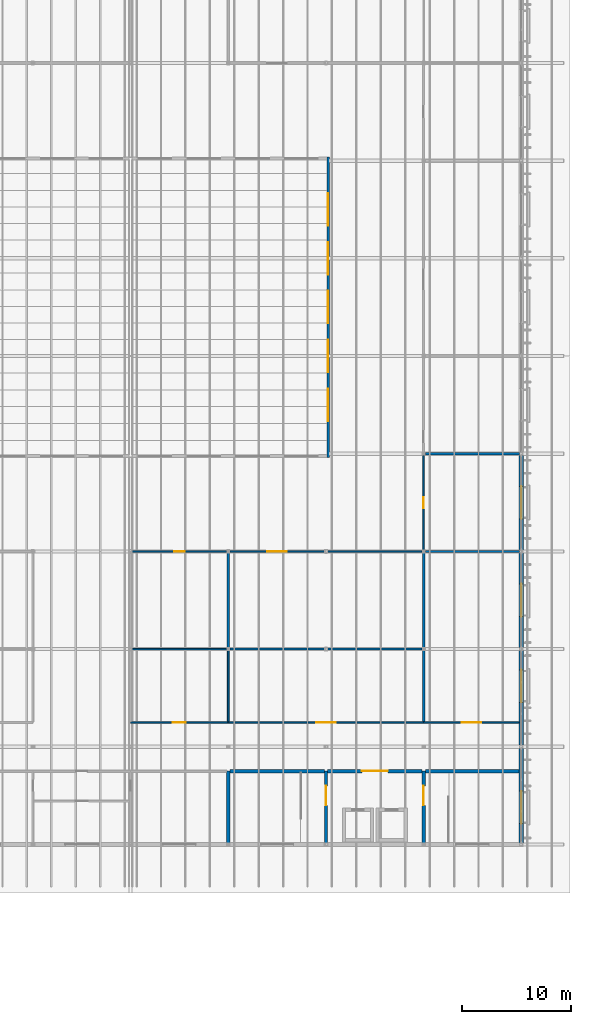
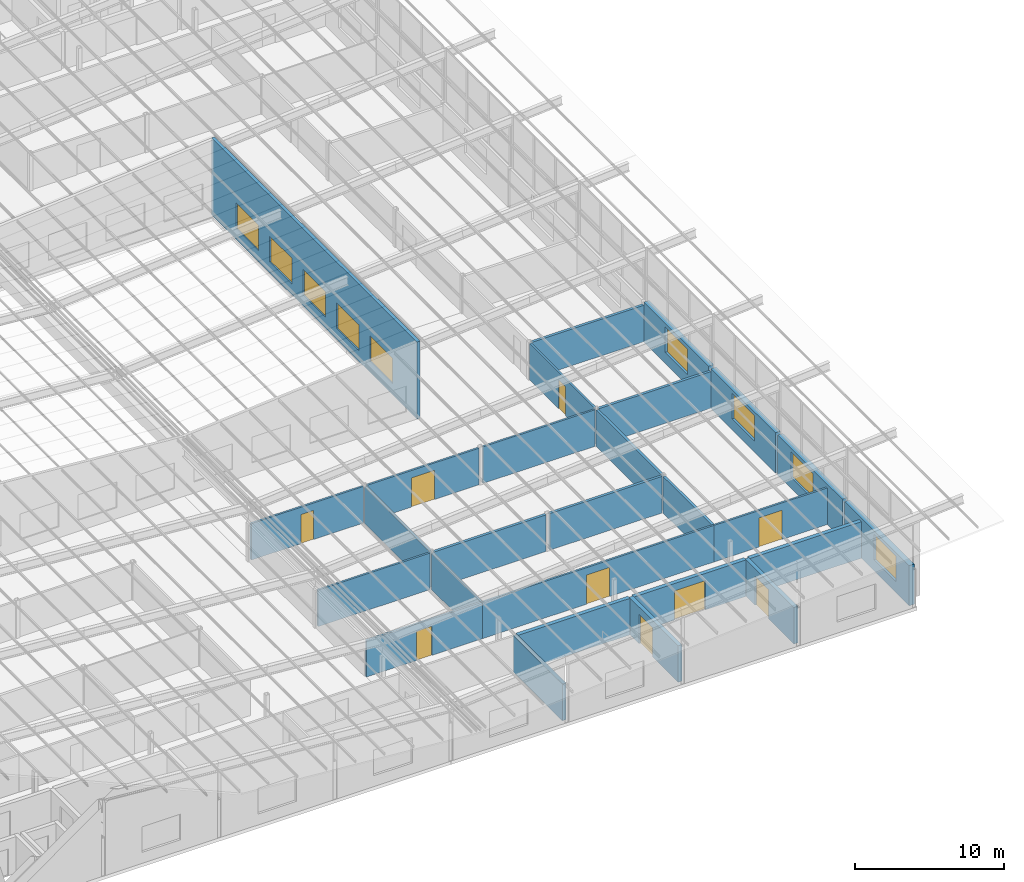
# One storey, part 73 of 85: 27 walls, 9 doors, 9 windows, 18 openings.
"""IFC4 building model written with IfcOpenShell, lengths in metres."""

from ifc_helpers import new_model, si_unit, direction, frame, frame_2d, origin, place, context, subcontext, project, spatial, rectangle, extrude, material, layer, layer_set, type_object, element, fill, save


model = new_model("IFC4")

# Units and contexts
model_context = context("Model", 3, precision=1e-05, world=origin(), true_north=direction((0.0, 1.0)))
body_context = subcontext(model_context, "Body", "Model", "MODEL_VIEW")
ifc_project = project(units=[si_unit("LENGTHUNIT", "METRE"), si_unit("AREAUNIT", "SQUARE_METRE"), si_unit("VOLUMEUNIT", "CUBIC_METRE"), si_unit("PLANEANGLEUNIT", "RADIAN"), si_unit("MASSUNIT", "GRAM", prefix="KILO")], contexts=[model_context])

# Site, building, storey
site_placement = place(None, origin())
site = spatial("IfcSite", under=ifc_project, at=site_placement, CompositionType="ELEMENT")
building_placement = place(site_placement, origin())
building = spatial("IfcBuilding", under=site, at=building_placement, Name="Opaline Strait Convention Centre", CompositionType="ELEMENT")
storey_placement = place(building_placement, frame((0.0, 0.0, 17.0)))
storey = spatial("IfcBuildingStorey", under=building, at=storey_placement, Name="L03", CompositionType="ELEMENT", Elevation=17.0)

# Walls
ifc_material_1 = material(Name="Gypsum board")
ifc_layer_1 = layer(ifc_material_1, 0.050048828125)
ifc_material_2 = material(Name="Steel stud and mineral wool", Category="steel")
ifc_layer_2 = layer(ifc_material_2, 0.10009765625)
ifc_layer_3 = layer(ifc_material_1, 0.050048828125)
ifc_layer_set_1 = layer_set([ifc_layer_1, ifc_layer_2, ifc_layer_3], Name="Gypsum board, Steel stud and mineral wool, Gypsum board")
wall_type_1 = type_object("IfcWallType", Name="Acoustic partition 200 EI45", PredefinedType="PARTITIONING", material=ifc_layer_set_1)
for number, where, z_axis, x_axis, name in (
    (1, (333.14990234375, 108.0, 0.0), (0.0, 0.0, 1.0), (1.0, 0.0, 0.0), "MPW5 partition Breakout Room 3.15 N"),
    (2, (342.14990234375, 108.0, 0.0), (0.0, 0.0, 1.0), (1.0, 0.0, 0.0), "MPW5 partition Breakout Room 3.15 N"),
):
    element("IfcWall", number, at=place(storey_placement, frame(where, z_axis=z_axis, x_axis=x_axis)), inside=storey, type_object=wall_type_1, Name=name, PredefinedType="PARTITIONING", context=body_context, shape_type="SweptSolid", body=[
        extrude(rectangle(XDim=8.7001953125, YDim=0.199951171875, at=frame_2d((4.35009765625, 0.0))), origin(), (0.0, 0.0, 1.0), 3.0),
    ])
wall_1_placement = place(storey_placement, frame((351.0, 101.324951171875, 0.0), z_axis=(0.0, 0.0, 1.0), x_axis=(0.0, 1.0, 0.0)))
element("IfcWall", 3, at=wall_1_placement, inside=storey, type_object=wall_type_1, Name="MPW5 partition Breakout Room 3.15 E", PredefinedType="PARTITIONING", context=body_context, shape_type="SweptSolid", body=[
    extrude(rectangle(XDim=6.525146484375, YDim=0.199951171875, at=frame_2d((3.2626953125, 0.0))), origin(), (0.0, 0.0, 1.0), 3.0),
])
for number, where, z_axis, x_axis, name in (
    (4, (333.0, 108.14990234375, 0.0), (0.0, 0.0, 1.0), (0.0, 1.0, 0.0), "MPW5 partition VIP Suite 3.17 E"),
    (5, (351.0, 108.14990234375, 0.0), (0.0, 0.0, 1.0), (0.0, 1.0, 0.0), "MPW5 partition VIP Suite 3.18 E"),
    (6, (351.14990234375, 117.0, 0.0), (0.0, 0.0, 1.0), (1.0, 0.0, 0.0), "MPW5 partition Boardroom 3.21 S"),
    (7, (351.14990234375, 126.0, 0.0), (0.0, 0.0, 1.0), (1.0, 0.0, 0.0), "MPW5 partition Boardroom 3.21 N"),
):
    element("IfcWall", number, at=place(storey_placement, frame(where, z_axis=z_axis, x_axis=x_axis)), inside=storey, type_object=wall_type_1, Name=name, PredefinedType="PARTITIONING", context=body_context, shape_type="SweptSolid", body=[
        extrude(rectangle(XDim=8.7001953125, YDim=0.199951171875, at=frame_2d((4.35009765625, 0.0))), origin(), (0.0, 0.0, 1.0), 3.0),
    ])

# Wall, opening, door
ifc_layer_4 = layer(ifc_material_1, 0.032470703125)
ifc_layer_5 = layer(ifc_material_2, 0.0849609375)
ifc_layer_6 = layer(ifc_material_1, 0.032470703125)
ifc_layer_set_2 = layer_set([ifc_layer_4, ifc_layer_5, ifc_layer_6], Name="Gypsum board, Steel stud and mineral wool, Gypsum board")
wall_type_2 = type_object("IfcWallType", Name="Corridor partition 150 EI60", PredefinedType="PARTITIONING", material=ifc_layer_set_2)
wall_2_placement = place(storey_placement, frame((333.0, 101.25, 0.0), z_axis=(0.0, 0.0, 1.0), x_axis=(1.0, 0.0, 0.0)))
wall_2 = element("IfcWall", 8, at=wall_2_placement, inside=storey, type_object=wall_type_2, Name="MPW1 partition Breakout Room 3.15 S", PredefinedType="PARTITIONING", context=body_context, shape_type="SweptSolid", body=[
    extrude(rectangle(XDim=18.0, YDim=0.14990234375, at=frame_2d((9.0, 0.0))), origin(), (0.0, 0.0, 1.0), 3.0),
])
opening_1_placement = place(wall_2_placement, frame((8.10009765625, 0.0, 0.0)))
opening_1 = element("IfcOpeningElement", 9, at=opening_1_placement, cuts=wall_2, Name="Opening M3-035", PredefinedType="OPENING", context=body_context, shape_type="SweptSolid", body=[
    extrude(rectangle(XDim=1.800048828125, YDim=2.39990234375, at=frame_2d((0.89990234375, 1.199951171875))), frame((0.0, 0.0849609375, 0.0), z_axis=(0.0, -1.0, 0.0), x_axis=(1.0, 0.0, 0.0)), (0.0, 0.0, 1.0), 0.169921875),
])
ifc_material_3 = material(Name="Solid-core timber leaf, steel frame door set", Category="steel")
door_type_1 = type_object("IfcDoorType", Name="Meeting room double door FD30 1800 x 2400", OperationType="DOUBLE_DOOR_SINGLE_SWING", PredefinedType="DOOR", material=ifc_material_3)
door_1_placement = place(opening_1_placement, frame((1.800048828125, 0.0, 0.0), z_axis=(0.0, 0.0, 1.0), x_axis=(-1.0, 0.0, 0.0)))
door_1 = element("IfcDoor", 10, at=door_1_placement, inside=storey, type_object=door_type_1, Name="Door Breakout Room 3.15", ObjectType="MD7", OperationType="DOUBLE_DOOR_SINGLE_SWING", OverallHeight=2.39990234375, OverallWidth=1.800048828125, PredefinedType="DOOR", context=body_context, shape_type="SweptSolid", body=[
    extrude(rectangle(XDim=1.800048828125, YDim=2.39990234375, at=frame_2d((0.89990234375, 1.199951171875))), frame((0.0, 0.02490234375, 0.0), z_axis=(0.0, -1.0, 0.0), x_axis=(1.0, 0.0, 0.0)), (0.0, 0.0, 1.0), 0.050048828125),
])
fill(opening_1, door_1)

wall_3_placement = place(storey_placement, frame((324.14990234375, 117.0, 0.0), z_axis=(0.0, 0.0, 1.0), x_axis=(1.0, 0.0, 0.0)))
wall_3 = element("IfcWall", 11, at=wall_3_placement, inside=storey, type_object=wall_type_2, Name="MPW1 partition VIP Suite 3.17 N", PredefinedType="PARTITIONING", context=body_context, shape_type="SweptSolid", body=[
    extrude(rectangle(XDim=8.7001953125, YDim=0.14990234375, at=frame_2d((4.35009765625, 0.0))), origin(), (0.0, 0.0, 1.0), 3.0),
])
opening_2_placement = place(wall_3_placement, frame((3.85009765625, 0.0, 0.0)))
opening_2 = element("IfcOpeningElement", 12, at=opening_2_placement, cuts=wall_3, Name="Opening M3-037", PredefinedType="OPENING", context=body_context, shape_type="SweptSolid", body=[
    extrude(rectangle(XDim=1.0, YDim=2.39990234375, at=frame_2d((0.5, 1.199951171875))), frame((0.0, 0.0849609375, 0.0), z_axis=(0.0, -1.0, 0.0), x_axis=(1.0, 0.0, 0.0)), (0.0, 0.0, 1.0), 0.169921875),
])
door_type_2 = type_object("IfcDoorType", Name="Meeting room door FD30 1000 x 2400", OperationType="SINGLE_SWING_LEFT", PredefinedType="DOOR", material=ifc_material_3)
door_2_placement = place(opening_2_placement, origin())
door_2 = element("IfcDoor", 13, at=door_2_placement, inside=storey, type_object=door_type_2, Name="Door VIP Suite 3.17", ObjectType="MD8", OperationType="SINGLE_SWING_LEFT", OverallHeight=2.39990234375, OverallWidth=1.0, PredefinedType="DOOR", context=body_context, shape_type="SweptSolid", body=[
    extrude(rectangle(XDim=1.0, YDim=2.39990234375, at=frame_2d((0.5, 1.199951171875))), frame((0.0, 0.02490234375, 0.0), z_axis=(0.0, -1.0, 0.0), x_axis=(1.0, 0.0, 0.0)), (0.0, 0.0, 1.0), 0.050048828125),
])
fill(opening_2, door_2)

wall_4_placement = place(storey_placement, frame((333.14990234375, 117.0, 0.0), z_axis=(0.0, 0.0, 1.0), x_axis=(1.0, 0.0, 0.0)))
wall_4 = element("IfcWall", 14, at=wall_4_placement, inside=storey, type_object=wall_type_2, Name="MPW1 partition VIP Suite 3.18 N", PredefinedType="PARTITIONING", context=body_context, shape_type="SweptSolid", body=[
    extrude(rectangle(XDim=8.7001953125, YDim=0.14990234375, at=frame_2d((4.35009765625, 0.0))), origin(), (0.0, 0.0, 1.0), 3.0),
])
opening_3_placement = place(wall_4_placement, frame((3.4501953125, 0.0, 0.0)))
opening_3 = element("IfcOpeningElement", 15, at=opening_3_placement, cuts=wall_4, Name="Opening M3-038", PredefinedType="OPENING", context=body_context, shape_type="SweptSolid", body=[
    extrude(rectangle(XDim=1.800048828125, YDim=2.39990234375, at=frame_2d((0.89990234375, 1.199951171875))), frame((0.0, 0.0849609375, 0.0), z_axis=(0.0, -1.0, 0.0), x_axis=(1.0, 0.0, 0.0)), (0.0, 0.0, 1.0), 0.169921875),
])
door_3_placement = place(opening_3_placement, origin())
door_3 = element("IfcDoor", 16, at=door_3_placement, inside=storey, type_object=door_type_1, Name="Door VIP Suite 3.18", ObjectType="MD7", OperationType="DOUBLE_DOOR_SINGLE_SWING", OverallHeight=2.39990234375, OverallWidth=1.800048828125, PredefinedType="DOOR", context=body_context, shape_type="SweptSolid", body=[
    extrude(rectangle(XDim=1.800048828125, YDim=2.39990234375, at=frame_2d((0.89990234375, 1.199951171875))), frame((0.0, 0.02490234375, 0.0), z_axis=(0.0, -1.0, 0.0), x_axis=(1.0, 0.0, 0.0)), (0.0, 0.0, 1.0), 0.050048828125),
])
fill(opening_3, door_3)

# Wall
wall_5_placement = place(storey_placement, frame((342.14990234375, 117.0, 0.0), z_axis=(0.0, 0.0, 1.0), x_axis=(1.0, 0.0, 0.0)))
element("IfcWall", 17, at=wall_5_placement, inside=storey, type_object=wall_type_2, Name="MPW1 partition VIP Suite 3.18 N", PredefinedType="PARTITIONING", context=body_context, shape_type="SweptSolid", body=[
    extrude(rectangle(XDim=8.7001953125, YDim=0.14990234375, at=frame_2d((4.35009765625, 0.0))), origin(), (0.0, 0.0, 1.0), 3.0),
])

# Wall, opening, door
wall_6_placement = place(storey_placement, frame((351.0, 117.14990234375, 0.0), z_axis=(0.0, 0.0, 1.0), x_axis=(0.0, 1.0, 0.0)))
wall_6 = element("IfcWall", 18, at=wall_6_placement, inside=storey, type_object=wall_type_2, Name="MPW1 partition Boardroom 3.21 W", PredefinedType="PARTITIONING", context=body_context, shape_type="SweptSolid", body=[
    extrude(rectangle(XDim=8.7001953125, YDim=0.14990234375, at=frame_2d((4.35009765625, 0.0))), origin(), (0.0, 0.0, 1.0), 3.0),
])
opening_4_placement = place(wall_6_placement, frame((3.85009765625, 0.0, 0.0)))
opening_4 = element("IfcOpeningElement", 19, at=opening_4_placement, cuts=wall_6, Name="Opening M3-041", PredefinedType="OPENING", context=body_context, shape_type="SweptSolid", body=[
    extrude(rectangle(XDim=1.0, YDim=2.39990234375, at=frame_2d((0.5, 1.199951171875))), frame((0.0, 0.0849609375, 0.0), z_axis=(0.0, -1.0, 0.0), x_axis=(1.0, 0.0, 0.0)), (0.0, 0.0, 1.0), 0.169921875),
])
door_4_placement = place(opening_4_placement, origin())
door_4 = element("IfcDoor", 20, at=door_4_placement, inside=storey, type_object=door_type_2, Name="Door Boardroom 3.21", ObjectType="MD8", OperationType="SINGLE_SWING_LEFT", OverallHeight=2.39990234375, OverallWidth=1.0, PredefinedType="DOOR", context=body_context, shape_type="SweptSolid", body=[
    extrude(rectangle(XDim=1.0, YDim=2.39990234375, at=frame_2d((0.5, 1.199951171875))), frame((0.0, 0.02490234375, 0.0), z_axis=(0.0, -1.0, 0.0), x_axis=(1.0, 0.0, 0.0)), (0.0, 0.0, 1.0), 0.050048828125),
])
fill(opening_4, door_4)

wall_7_placement = place(storey_placement, frame((351.0, 101.25, 0.0), z_axis=(0.0, 0.0, 1.0), x_axis=(1.0, 0.0, 0.0)))
wall_7 = element("IfcWall", 21, at=wall_7_placement, inside=storey, type_object=wall_type_2, Name="MPW1 partition Boardroom 3.25 S", PredefinedType="PARTITIONING", context=body_context, shape_type="SweptSolid", body=[
    extrude(rectangle(XDim=8.800048828125, YDim=0.14990234375, at=frame_2d((4.39990234375, 0.0))), origin(), (0.0, 0.0, 1.0), 3.0),
])
opening_5_placement = place(wall_7_placement, frame((3.5, 0.0, 0.0)))
opening_5 = element("IfcOpeningElement", 22, at=opening_5_placement, cuts=wall_7, Name="Opening M3-045", PredefinedType="OPENING", context=body_context, shape_type="SweptSolid", body=[
    extrude(rectangle(XDim=1.800048828125, YDim=2.39990234375, at=frame_2d((0.89990234375, 1.199951171875))), frame((0.0, 0.0849609375, 0.0), z_axis=(0.0, -1.0, 0.0), x_axis=(1.0, 0.0, 0.0)), (0.0, 0.0, 1.0), 0.169921875),
])
door_5_placement = place(opening_5_placement, frame((1.800048828125, 0.0, 0.0), z_axis=(0.0, 0.0, 1.0), x_axis=(-1.0, 0.0, 0.0)))
door_5 = element("IfcDoor", 23, at=door_5_placement, inside=storey, type_object=door_type_1, Name="Door Boardroom 3.25", ObjectType="MD7", OperationType="DOUBLE_DOOR_SINGLE_SWING", OverallHeight=2.39990234375, OverallWidth=1.800048828125, PredefinedType="DOOR", context=body_context, shape_type="SweptSolid", body=[
    extrude(rectangle(XDim=1.800048828125, YDim=2.39990234375, at=frame_2d((0.89990234375, 1.199951171875))), frame((0.0, 0.02490234375, 0.0), z_axis=(0.0, -1.0, 0.0), x_axis=(1.0, 0.0, 0.0)), (0.0, 0.0, 1.0), 0.050048828125),
])
fill(opening_5, door_5)

# Wall, opening, window
ifc_material_4 = material(Name="Concrete C40 precast", Category="concrete")
ifc_layer_7 = layer(ifc_material_4, 0.10009765625)
ifc_material_5 = material(Name="Mineral wool insulation")
ifc_layer_8 = layer(ifc_material_5, 0.14990234375)
ifc_layer_9 = layer(ifc_material_4, 0.14990234375)
ifc_layer_set_3 = layer_set([ifc_layer_7, ifc_layer_8, ifc_layer_9], Name="Concrete C40 precast, Mineral wool insulation, Concrete C40 precast")
wall_type_3 = type_object("IfcWallType", Name="External wall 400 insulated precast EI60", PredefinedType="STANDARD", material=ifc_layer_set_3)
wall_8_placement = place(storey_placement, frame((360.0, 90.14990234375, 0.0), z_axis=(0.0, 0.0, 1.0), x_axis=(0.0, 1.0, 0.0)))
wall_8 = element("IfcWall", 24, at=wall_8_placement, inside=storey, type_object=wall_type_3, Name="External wall E L03 41/L", PredefinedType="STANDARD", context=body_context, shape_type="SweptSolid", body=[
    extrude(rectangle(XDim=8.7001953125, YDim=0.39990234375, at=frame_2d((4.35009765625, 0.0))), origin(), (0.0, 0.0, 1.0), 3.300048828125),
])
opening_6_placement = place(wall_8_placement, frame((1.7626953125, 0.0, 0.89990234375)))
opening_6 = element("IfcOpeningElement", 25, at=opening_6_placement, cuts=wall_8, Name="Opening MW2", PredefinedType="OPENING", context=body_context, shape_type="SweptSolid", body=[
    extrude(rectangle(XDim=3.0, YDim=2.10009765625, at=frame_2d((1.5, 1.050048828125))), frame((0.0, 0.2099609375, 0.0), z_axis=(0.0, -1.0, 0.0), x_axis=(1.0, 0.0, 0.0)), (0.0, 0.0, 1.0), 0.419921875),
])
ifc_material_6 = material(Name="Aluminium framed double glazing", Category="aluminium")
window_type = type_object("IfcWindowType", Name="Window 3000 x 2100", PartitioningType="TRIPLE_PANEL_VERTICAL", PredefinedType="WINDOW", material=ifc_material_6)
window_1_placement = place(opening_6_placement, origin())
window_1 = element("IfcWindow", 26, at=window_1_placement, inside=storey, type_object=window_type, Name="Window Escape Stair S3 E", OverallHeight=2.10009765625, OverallWidth=3.0, PartitioningType="TRIPLE_PANEL_VERTICAL", PredefinedType="WINDOW", context=body_context, shape_type="SweptSolid", body=[
    extrude(rectangle(XDim=3.0, YDim=2.10009765625, at=frame_2d((1.5, 1.050048828125))), frame((0.0, 0.030029296875, 0.0), z_axis=(0.0, -1.0, 0.0), x_axis=(1.0, 0.0, 0.0)), (0.0, 0.0, 1.0), 0.06005859375),
])
fill(opening_6, window_1)

wall_9_placement = place(storey_placement, frame((360.0, 99.14990234375, 0.0), z_axis=(0.0, 0.0, 1.0), x_axis=(0.0, 1.0, 0.0)))
wall_9 = element("IfcWall", 27, at=wall_9_placement, inside=storey, type_object=wall_type_3, Name="External wall E L03 41/M", PredefinedType="STANDARD", context=body_context, shape_type="SweptSolid", body=[
    extrude(rectangle(XDim=8.7001953125, YDim=0.39990234375, at=frame_2d((4.35009765625, 0.0))), origin(), (0.0, 0.0, 1.0), 3.300048828125),
])
opening_7_placement = place(wall_9_placement, frame((3.9375, 0.0, 0.89990234375)))
opening_7 = element("IfcOpeningElement", 28, at=opening_7_placement, cuts=wall_9, Name="Opening MW2", PredefinedType="OPENING", context=body_context, shape_type="SweptSolid", body=[
    extrude(rectangle(XDim=3.0, YDim=2.10009765625, at=frame_2d((1.5, 1.050048828125))), frame((0.0, 0.2099609375, 0.0), z_axis=(0.0, -1.0, 0.0), x_axis=(1.0, 0.0, 0.0)), (0.0, 0.0, 1.0), 0.419921875),
])
window_2_placement = place(opening_7_placement, origin())
window_2 = element("IfcWindow", 29, at=window_2_placement, inside=storey, type_object=window_type, Name="Window Boardroom 3.25 E", OverallHeight=2.10009765625, OverallWidth=3.0, PartitioningType="TRIPLE_PANEL_VERTICAL", PredefinedType="WINDOW", context=body_context, shape_type="SweptSolid", body=[
    extrude(rectangle(XDim=3.0, YDim=2.10009765625, at=frame_2d((1.5, 1.050048828125))), frame((0.0, 0.030029296875, 0.0), z_axis=(0.0, -1.0, 0.0), x_axis=(1.0, 0.0, 0.0)), (0.0, 0.0, 1.0), 0.06005859375),
])
fill(opening_7, window_2)

wall_10_placement = place(storey_placement, frame((360.0, 108.14990234375, 0.0), z_axis=(0.0, 0.0, 1.0), x_axis=(0.0, 1.0, 0.0)))
wall_10 = element("IfcWall", 30, at=wall_10_placement, inside=storey, type_object=wall_type_3, Name="External wall E L03 41/N", PredefinedType="STANDARD", context=body_context, shape_type="SweptSolid", body=[
    extrude(rectangle(XDim=8.7001953125, YDim=0.39990234375, at=frame_2d((4.35009765625, 0.0))), origin(), (0.0, 0.0, 1.0), 3.300048828125),
])
opening_8_placement = place(wall_10_placement, frame((2.85009765625, 0.0, 0.89990234375)))
opening_8 = element("IfcOpeningElement", 31, at=opening_8_placement, cuts=wall_10, Name="Opening MW2", PredefinedType="OPENING", context=body_context, shape_type="SweptSolid", body=[
    extrude(rectangle(XDim=3.0, YDim=2.10009765625, at=frame_2d((1.5, 1.050048828125))), frame((0.0, 0.2099609375, 0.0), z_axis=(0.0, -1.0, 0.0), x_axis=(1.0, 0.0, 0.0)), (0.0, 0.0, 1.0), 0.419921875),
])
window_3_placement = place(opening_8_placement, origin())
window_3 = element("IfcWindow", 32, at=window_3_placement, inside=storey, type_object=window_type, Name="Window Boardroom 3.25 E", OverallHeight=2.10009765625, OverallWidth=3.0, PartitioningType="TRIPLE_PANEL_VERTICAL", PredefinedType="WINDOW", context=body_context, shape_type="SweptSolid", body=[
    extrude(rectangle(XDim=3.0, YDim=2.10009765625, at=frame_2d((1.5, 1.050048828125))), frame((0.0, 0.030029296875, 0.0), z_axis=(0.0, -1.0, 0.0), x_axis=(1.0, 0.0, 0.0)), (0.0, 0.0, 1.0), 0.06005859375),
])
fill(opening_8, window_3)

wall_11_placement = place(storey_placement, frame((360.0, 117.14990234375, 0.0), z_axis=(0.0, 0.0, 1.0), x_axis=(0.0, 1.0, 0.0)))
wall_11 = element("IfcWall", 33, at=wall_11_placement, inside=storey, type_object=wall_type_3, Name="External wall E L03 41/P", PredefinedType="STANDARD", context=body_context, shape_type="SweptSolid", body=[
    extrude(rectangle(XDim=8.7001953125, YDim=0.39990234375, at=frame_2d((4.35009765625, 0.0))), origin(), (0.0, 0.0, 1.0), 3.300048828125),
])
opening_9_placement = place(wall_11_placement, frame((2.85009765625, 0.0, 0.89990234375)))
opening_9 = element("IfcOpeningElement", 34, at=opening_9_placement, cuts=wall_11, Name="Opening MW2", PredefinedType="OPENING", context=body_context, shape_type="SweptSolid", body=[
    extrude(rectangle(XDim=3.0, YDim=2.10009765625, at=frame_2d((1.5, 1.050048828125))), frame((0.0, 0.2099609375, 0.0), z_axis=(0.0, -1.0, 0.0), x_axis=(1.0, 0.0, 0.0)), (0.0, 0.0, 1.0), 0.419921875),
])
window_4_placement = place(opening_9_placement, origin())
window_4 = element("IfcWindow", 35, at=window_4_placement, inside=storey, type_object=window_type, Name="Window Boardroom 3.21 E", OverallHeight=2.10009765625, OverallWidth=3.0, PartitioningType="TRIPLE_PANEL_VERTICAL", PredefinedType="WINDOW", context=body_context, shape_type="SweptSolid", body=[
    extrude(rectangle(XDim=3.0, YDim=2.10009765625, at=frame_2d((1.5, 1.050048828125))), frame((0.0, 0.030029296875, 0.0), z_axis=(0.0, -1.0, 0.0), x_axis=(1.0, 0.0, 0.0)), (0.0, 0.0, 1.0), 0.06005859375),
])
fill(opening_9, window_4)

# Wall, opening, door
ifc_layer_10 = layer(ifc_material_1, 0.032470703125)
ifc_layer_11 = layer(ifc_material_2, 0.0849609375)
ifc_layer_12 = layer(ifc_material_1, 0.032470703125)
ifc_layer_set_4 = layer_set([ifc_layer_10, ifc_layer_11, ifc_layer_12], Name="Gypsum board, Steel stud and mineral wool, Gypsum board")
wall_type_4 = type_object("IfcWallType", Name="Plant room partition 150 EI120", PredefinedType="PARTITIONING", material=ifc_layer_set_4)
wall_12_placement = place(storey_placement, frame((324.0, 101.25, 0.0), z_axis=(0.0, 0.0, 1.0), x_axis=(1.0, 0.0, 0.0)))
wall_12 = element("IfcWall", 36, at=wall_12_placement, inside=storey, type_object=wall_type_4, Name="MPW3 partition Comms Room 3.14 S", PredefinedType="PARTITIONING", context=body_context, shape_type="SweptSolid", body=[
    extrude(rectangle(XDim=9.0, YDim=0.14990234375, at=frame_2d((4.5, 0.0))), origin(), (0.0, 0.0, 1.0), 3.0),
])
opening_10_placement = place(wall_12_placement, frame((3.89990234375, 0.0, 0.0)))
opening_10 = element("IfcOpeningElement", 37, at=opening_10_placement, cuts=wall_12, Name="Opening M3-034", PredefinedType="OPENING", context=body_context, shape_type="SweptSolid", body=[
    extrude(rectangle(XDim=1.199951171875, YDim=2.39990234375, at=frame_2d((0.60009765625, 1.199951171875))), frame((0.0, 0.0849609375, 0.0), z_axis=(0.0, -1.0, 0.0), x_axis=(1.0, 0.0, 0.0)), (0.0, 0.0, 1.0), 0.169921875),
])
ifc_material_7 = material(Name="Steel Q235B", Category="steel")
door_type_3 = type_object("IfcDoorType", Name="Plant room door FD60 1200 x 2400", OperationType="SINGLE_SWING_LEFT", PredefinedType="DOOR", material=ifc_material_7)
door_6_placement = place(opening_10_placement, frame((1.199951171875, 0.0, 0.0), z_axis=(0.0, 0.0, 1.0), x_axis=(-1.0, 0.0, 0.0)))
door_6 = element("IfcDoor", 38, at=door_6_placement, inside=storey, type_object=door_type_3, Name="Door Comms Room 3.14", ObjectType="MD9", OperationType="SINGLE_SWING_LEFT", OverallHeight=2.39990234375, OverallWidth=1.199951171875, PredefinedType="DOOR", context=body_context, shape_type="SweptSolid", body=[
    extrude(rectangle(XDim=1.199951171875, YDim=2.39990234375, at=frame_2d((0.60009765625, 1.199951171875))), frame((0.0, 0.02490234375, 0.0), z_axis=(0.0, -1.0, 0.0), x_axis=(1.0, 0.0, 0.0)), (0.0, 0.0, 1.0), 0.050048828125),
])
fill(opening_10, door_6)

# Walls
wall_13_placement = place(storey_placement, frame((324.14990234375, 108.0, 0.0), z_axis=(0.0, 0.0, 1.0), x_axis=(1.0, 0.0, 0.0)))
element("IfcWall", 39, at=wall_13_placement, inside=storey, type_object=wall_type_4, Name="MPW3 partition Comms Room 3.14 N", PredefinedType="PARTITIONING", context=body_context, shape_type="SweptSolid", body=[
    extrude(rectangle(XDim=8.7001953125, YDim=0.14990234375, at=frame_2d((4.35009765625, 0.0))), origin(), (0.0, 0.0, 1.0), 3.0),
])
wall_14_placement = place(storey_placement, frame((333.0, 101.324951171875, 0.0), z_axis=(0.0, 0.0, 1.0), x_axis=(0.0, 1.0, 0.0)))
element("IfcWall", 40, at=wall_14_placement, inside=storey, type_object=wall_type_4, Name="MPW3 partition Comms Room 3.14 E", PredefinedType="PARTITIONING", context=body_context, shape_type="SweptSolid", body=[
    extrude(rectangle(XDim=6.525146484375, YDim=0.14990234375, at=frame_2d((3.2626953125, 0.0))), origin(), (0.0, 0.0, 1.0), 3.0),
])

# Wall, opening, door
ifc_material_8 = material(Name="Concrete C40", Category="concrete")
ifc_layer_13 = layer(ifc_material_8, 0.300048828125)
ifc_layer_set_5 = layer_set([ifc_layer_13], Name="Concrete C40")
wall_type_5 = type_object("IfcWallType", Name="RC core wall 300 C40", PredefinedType="SHEAR", material=ifc_layer_set_5)
wall_15_placement = place(storey_placement, frame((351.0, 90.14990234375, 0.0), z_axis=(0.0, 0.0, 1.0), x_axis=(0.0, 1.0, 0.0)))
wall_15 = element("IfcWall", 41, at=wall_15_placement, inside=storey, type_object=wall_type_5, Name="Core wall SE-L03", PredefinedType="SHEAR", context=body_context, shape_type="SweptSolid", body=[
    extrude(rectangle(XDim=6.60009765625, YDim=0.300048828125, at=frame_2d((3.300048828125, 0.0))), origin(), (0.0, 0.0, 1.0), 3.0),
])
opening_11_placement = place(wall_15_placement, frame((3.4501953125, 0.0, 0.0)))
opening_11 = element("IfcOpeningElement", 42, at=opening_11_placement, cuts=wall_15, Name="Opening M3-006", PredefinedType="OPENING", context=body_context, shape_type="SweptSolid", body=[
    extrude(rectangle(XDim=1.800048828125, YDim=2.39990234375, at=frame_2d((0.89990234375, 1.199951171875))), frame((0.0, 0.159912109375, 0.0), z_axis=(0.0, -1.0, 0.0), x_axis=(1.0, 0.0, 0.0)), (0.0, 0.0, 1.0), 0.320068359375),
])
door_type_4 = type_object("IfcDoorType", Name="Stair door FD60 1800 x 2400", OperationType="DOUBLE_DOOR_SINGLE_SWING", PredefinedType="DOOR", material=ifc_material_7)
door_7_placement = place(opening_11_placement, origin())
door_7 = element("IfcDoor", 43, at=door_7_placement, inside=storey, type_object=door_type_4, Name="Escape stair S3 door L03", ObjectType="MD4", OperationType="DOUBLE_DOOR_SINGLE_SWING", OverallHeight=2.39990234375, OverallWidth=1.800048828125, PredefinedType="DOOR", context=body_context, shape_type="SweptSolid", body=[
    extrude(rectangle(XDim=1.800048828125, YDim=2.39990234375, at=frame_2d((0.89990234375, 1.199951171875))), frame((0.0, 0.02490234375, 0.0), z_axis=(0.0, -1.0, 0.0), x_axis=(1.0, 0.0, 0.0)), (0.0, 0.0, 1.0), 0.050048828125),
])
fill(opening_11, door_7)

wall_16_placement = place(storey_placement, frame((342.0, 90.14990234375, 0.0), z_axis=(0.0, 0.0, 1.0), x_axis=(0.0, 1.0, 0.0)))
wall_16 = element("IfcWall", 44, at=wall_16_placement, inside=storey, type_object=wall_type_5, Name="Core wall SE-L03", PredefinedType="SHEAR", context=body_context, shape_type="SweptSolid", body=[
    extrude(rectangle(XDim=6.60009765625, YDim=0.300048828125, at=frame_2d((3.300048828125, 0.0))), origin(), (0.0, 0.0, 1.0), 3.0),
])
opening_12_placement = place(wall_16_placement, frame((3.4501953125, 0.0, 0.0)))
opening_12 = element("IfcOpeningElement", 45, at=opening_12_placement, cuts=wall_16, Name="Opening M3-007", PredefinedType="OPENING", context=body_context, shape_type="SweptSolid", body=[
    extrude(rectangle(XDim=1.800048828125, YDim=2.39990234375, at=frame_2d((0.89990234375, 1.199951171875))), frame((0.0, 0.159912109375, 0.0), z_axis=(0.0, -1.0, 0.0), x_axis=(1.0, 0.0, 0.0)), (0.0, 0.0, 1.0), 0.320068359375),
])
door_8_placement = place(opening_12_placement, frame((1.800048828125, 0.0, 0.0), z_axis=(0.0, 0.0, 1.0), x_axis=(-1.0, 0.0, 0.0)))
door_8 = element("IfcDoor", 46, at=door_8_placement, inside=storey, type_object=door_type_4, Name="Escape stair S4 door L03", ObjectType="MD4", OperationType="DOUBLE_DOOR_SINGLE_SWING", OverallHeight=2.39990234375, OverallWidth=1.800048828125, PredefinedType="DOOR", context=body_context, shape_type="SweptSolid", body=[
    extrude(rectangle(XDim=1.800048828125, YDim=2.39990234375, at=frame_2d((0.89990234375, 1.199951171875))), frame((0.0, 0.02490234375, 0.0), z_axis=(0.0, -1.0, 0.0), x_axis=(1.0, 0.0, 0.0)), (0.0, 0.0, 1.0), 0.050048828125),
])
fill(opening_12, door_8)

# Walls
wall_17_placement = place(storey_placement, frame((333.0, 90.14990234375, 0.0), z_axis=(0.0, 0.0, 1.0), x_axis=(0.0, 1.0, 0.0)))
element("IfcWall", 47, at=wall_17_placement, inside=storey, type_object=wall_type_5, Name="Core wall SE-L03", PredefinedType="SHEAR", context=body_context, shape_type="SweptSolid", body=[
    extrude(rectangle(XDim=6.60009765625, YDim=0.300048828125, at=frame_2d((3.300048828125, 0.0))), origin(), (0.0, 0.0, 1.0), 3.0),
])
wall_18_placement = place(storey_placement, frame((333.14990234375, 96.75, 0.0), z_axis=(0.0, 0.0, 1.0), x_axis=(1.0, 0.0, 0.0)))
element("IfcWall", 48, at=wall_18_placement, inside=storey, type_object=wall_type_5, Name="Core wall SE-L03", PredefinedType="SHEAR", context=body_context, shape_type="SweptSolid", body=[
    extrude(rectangle(XDim=8.7001953125, YDim=0.300048828125, at=frame_2d((4.35009765625, 0.0))), origin(), (0.0, 0.0, 1.0), 3.0),
])

# Wall, opening, door
wall_19_placement = place(storey_placement, frame((342.14990234375, 96.75, 0.0), z_axis=(0.0, 0.0, 1.0), x_axis=(1.0, 0.0, 0.0)))
wall_19 = element("IfcWall", 49, at=wall_19_placement, inside=storey, type_object=wall_type_5, Name="Core wall SE-L03", PredefinedType="SHEAR", context=body_context, shape_type="SweptSolid", body=[
    extrude(rectangle(XDim=8.7001953125, YDim=0.300048828125, at=frame_2d((4.35009765625, 0.0))), origin(), (0.0, 0.0, 1.0), 3.0),
])
opening_13_placement = place(wall_19_placement, frame((3.150146484375, 0.0, 0.0)))
opening_13 = element("IfcOpeningElement", 50, at=opening_13_placement, cuts=wall_19, Name="Opening M3-008", PredefinedType="OPENING", context=body_context, shape_type="SweptSolid", body=[
    extrude(rectangle(XDim=2.39990234375, YDim=2.39990234375, at=frame_2d((1.199951171875, 1.199951171875))), frame((0.0, 0.159912109375, 0.0), z_axis=(0.0, -1.0, 0.0), x_axis=(1.0, 0.0, 0.0)), (0.0, 0.0, 1.0), 0.320068359375),
])
door_type_5 = type_object("IfcDoorType", Name="Lift lobby double door FD60 2400 x 2400", OperationType="DOUBLE_DOOR_SINGLE_SWING", PredefinedType="DOOR", material=ifc_material_7)
door_9_placement = place(opening_13_placement, origin())
door_9 = element("IfcDoor", 51, at=door_9_placement, inside=storey, type_object=door_type_5, Name="Lift lobby SE door L03", ObjectType="MD5", OperationType="DOUBLE_DOOR_SINGLE_SWING", OverallHeight=2.39990234375, OverallWidth=2.39990234375, PredefinedType="DOOR", context=body_context, shape_type="SweptSolid", body=[
    extrude(rectangle(XDim=2.39990234375, YDim=2.39990234375, at=frame_2d((1.199951171875, 1.199951171875))), frame((0.0, 0.02490234375, 0.0), z_axis=(0.0, -1.0, 0.0), x_axis=(1.0, 0.0, 0.0)), (0.0, 0.0, 1.0), 0.050048828125),
])
fill(opening_13, door_9)

# Wall
wall_20_placement = place(storey_placement, frame((351.14990234375, 96.75, 0.0), z_axis=(0.0, 0.0, 1.0), x_axis=(1.0, 0.0, 0.0)))
element("IfcWall", 52, at=wall_20_placement, inside=storey, type_object=wall_type_5, Name="Core wall SE-L03", PredefinedType="SHEAR", context=body_context, shape_type="SweptSolid", body=[
    extrude(rectangle(XDim=8.650146484375, YDim=0.300048828125, at=frame_2d((4.3251953125, 0.0))), origin(), (0.0, 0.0, 1.0), 3.0),
])

# Wall, openings, windows
ifc_layer_14 = layer(ifc_material_8, 0.169921875)
ifc_layer_15 = layer(ifc_material_5, 0.050048828125)
ifc_material_9 = material(Name="Gypsum board lining")
ifc_layer_16 = layer(ifc_material_9, 0.030029296875)
ifc_layer_set_6 = layer_set([ifc_layer_14, ifc_layer_15, ifc_layer_16], Name="Concrete C40, Mineral wool insulation, Gypsum board lining")
wall_type_6 = type_object("IfcWallType", Name="RC kerb wall 250 C40", PredefinedType="SOLIDWALL", material=ifc_layer_set_6)
wall_21_placement = place(storey_placement, frame((342.199951171875, 125.675048828125, 0.0), z_axis=(0.0, 0.0, 1.0), x_axis=(0.0, 1.0, 0.0)))
wall_21 = element("IfcWall", 53, at=wall_21_placement, inside=storey, type_object=wall_type_6, Name="Atrium kerb wall E", PredefinedType="SOLIDWALL", context=body_context, shape_type="SweptSolid", body=[
    extrude(rectangle(XDim=27.64990234375, YDim=0.25, at=frame_2d((13.824951171875, 0.0))), origin(), (0.0, 0.0, 1.0), 6.335205078125),
])
opening_14_placement = place(wall_21_placement, frame((3.324951171875, 0.0, 0.89990234375)))
opening_14 = element("IfcOpeningElement", 54, at=opening_14_placement, cuts=wall_21, Name="Opening MW2", PredefinedType="OPENING", context=body_context, shape_type="SweptSolid", body=[
    extrude(rectangle(XDim=3.0, YDim=2.10009765625, at=frame_2d((1.5, 1.050048828125))), frame((0.0, 0.135009765625, 0.0), z_axis=(0.0, -1.0, 0.0), x_axis=(1.0, 0.0, 0.0)), (0.0, 0.0, 1.0), 0.27001953125),
])
opening_15_placement = place(wall_21_placement, frame((7.824951171875, 0.0, 0.89990234375)))
opening_15 = element("IfcOpeningElement", 55, at=opening_15_placement, cuts=wall_21, Name="Opening MW2", PredefinedType="OPENING", context=body_context, shape_type="SweptSolid", body=[
    extrude(rectangle(XDim=3.0, YDim=2.10009765625, at=frame_2d((1.5, 1.050048828125))), frame((0.0, 0.135009765625, 0.0), z_axis=(0.0, -1.0, 0.0), x_axis=(1.0, 0.0, 0.0)), (0.0, 0.0, 1.0), 0.27001953125),
])
opening_16_placement = place(wall_21_placement, frame((12.324951171875, 0.0, 0.89990234375)))
opening_16 = element("IfcOpeningElement", 56, at=opening_16_placement, cuts=wall_21, Name="Opening MW2", PredefinedType="OPENING", context=body_context, shape_type="SweptSolid", body=[
    extrude(rectangle(XDim=3.0, YDim=2.10009765625, at=frame_2d((1.5, 1.050048828125))), frame((0.0, 0.135009765625, 0.0), z_axis=(0.0, -1.0, 0.0), x_axis=(1.0, 0.0, 0.0)), (0.0, 0.0, 1.0), 0.27001953125),
])
opening_17_placement = place(wall_21_placement, frame((16.824951171875, 0.0, 0.89990234375)))
opening_17 = element("IfcOpeningElement", 57, at=opening_17_placement, cuts=wall_21, Name="Opening MW2", PredefinedType="OPENING", context=body_context, shape_type="SweptSolid", body=[
    extrude(rectangle(XDim=3.0, YDim=2.10009765625, at=frame_2d((1.5, 1.050048828125))), frame((0.0, 0.135009765625, 0.0), z_axis=(0.0, -1.0, 0.0), x_axis=(1.0, 0.0, 0.0)), (0.0, 0.0, 1.0), 0.27001953125),
])
opening_18_placement = place(wall_21_placement, frame((21.324951171875, 0.0, 0.89990234375)))
opening_18 = element("IfcOpeningElement", 58, at=opening_18_placement, cuts=wall_21, Name="Opening MW2", PredefinedType="OPENING", context=body_context, shape_type="SweptSolid", body=[
    extrude(rectangle(XDim=3.0, YDim=2.10009765625, at=frame_2d((1.5, 1.050048828125))), frame((0.0, 0.135009765625, 0.0), z_axis=(0.0, -1.0, 0.0), x_axis=(1.0, 0.0, 0.0)), (0.0, 0.0, 1.0), 0.27001953125),
])
window_5_placement = place(opening_14_placement, origin())
window_5 = element("IfcWindow", 59, at=window_5_placement, inside=storey, type_object=window_type, Name="Atrium window L03", OverallHeight=2.10009765625, OverallWidth=3.0, PartitioningType="TRIPLE_PANEL_VERTICAL", PredefinedType="WINDOW", context=body_context, shape_type="SweptSolid", body=[
    extrude(rectangle(XDim=3.0, YDim=2.10009765625, at=frame_2d((1.5, 1.050048828125))), frame((0.0, 0.030029296875, 0.0), z_axis=(0.0, -1.0, 0.0), x_axis=(1.0, 0.0, 0.0)), (0.0, 0.0, 1.0), 0.06005859375),
])
fill(opening_14, window_5)
window_6_placement = place(opening_15_placement, origin())
window_6 = element("IfcWindow", 60, at=window_6_placement, inside=storey, type_object=window_type, Name="Atrium window L03", OverallHeight=2.10009765625, OverallWidth=3.0, PartitioningType="TRIPLE_PANEL_VERTICAL", PredefinedType="WINDOW", context=body_context, shape_type="SweptSolid", body=[
    extrude(rectangle(XDim=3.0, YDim=2.10009765625, at=frame_2d((1.5, 1.050048828125))), frame((0.0, 0.030029296875, 0.0), z_axis=(0.0, -1.0, 0.0), x_axis=(1.0, 0.0, 0.0)), (0.0, 0.0, 1.0), 0.06005859375),
])
fill(opening_15, window_6)
window_7_placement = place(opening_16_placement, origin())
window_7 = element("IfcWindow", 61, at=window_7_placement, inside=storey, type_object=window_type, Name="Atrium window L03", OverallHeight=2.10009765625, OverallWidth=3.0, PartitioningType="TRIPLE_PANEL_VERTICAL", PredefinedType="WINDOW", context=body_context, shape_type="SweptSolid", body=[
    extrude(rectangle(XDim=3.0, YDim=2.10009765625, at=frame_2d((1.5, 1.050048828125))), frame((0.0, 0.030029296875, 0.0), z_axis=(0.0, -1.0, 0.0), x_axis=(1.0, 0.0, 0.0)), (0.0, 0.0, 1.0), 0.06005859375),
])
fill(opening_16, window_7)
window_8_placement = place(opening_17_placement, origin())
window_8 = element("IfcWindow", 62, at=window_8_placement, inside=storey, type_object=window_type, Name="Atrium window L03", OverallHeight=2.10009765625, OverallWidth=3.0, PartitioningType="TRIPLE_PANEL_VERTICAL", PredefinedType="WINDOW", context=body_context, shape_type="SweptSolid", body=[
    extrude(rectangle(XDim=3.0, YDim=2.10009765625, at=frame_2d((1.5, 1.050048828125))), frame((0.0, 0.030029296875, 0.0), z_axis=(0.0, -1.0, 0.0), x_axis=(1.0, 0.0, 0.0)), (0.0, 0.0, 1.0), 0.06005859375),
])
fill(opening_17, window_8)
window_9_placement = place(opening_18_placement, origin())
window_9 = element("IfcWindow", 63, at=window_9_placement, inside=storey, type_object=window_type, Name="Atrium window L03", OverallHeight=2.10009765625, OverallWidth=3.0, PartitioningType="TRIPLE_PANEL_VERTICAL", PredefinedType="WINDOW", context=body_context, shape_type="SweptSolid", body=[
    extrude(rectangle(XDim=3.0, YDim=2.10009765625, at=frame_2d((1.5, 1.050048828125))), frame((0.0, 0.030029296875, 0.0), z_axis=(0.0, -1.0, 0.0), x_axis=(1.0, 0.0, 0.0)), (0.0, 0.0, 1.0), 0.06005859375),
])
fill(opening_18, window_9)

save(model, "model.ifc")
